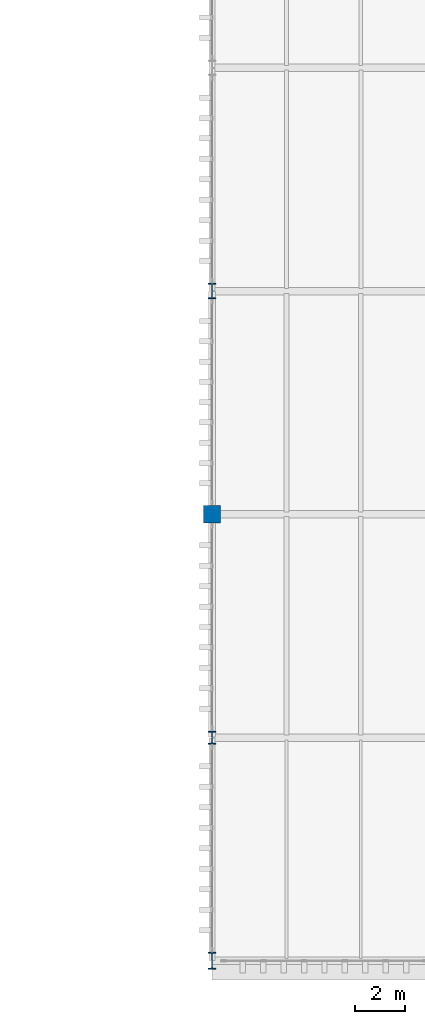
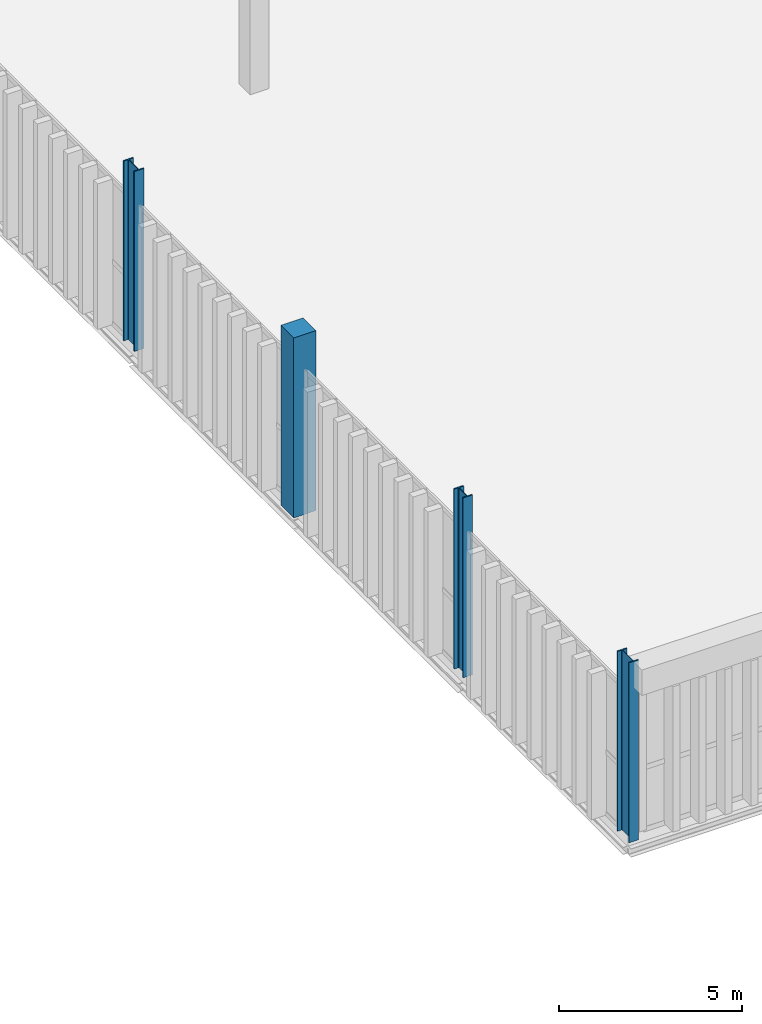
# One storey, part 5 of 237: 4 columns.
"""IFC4 building model written with IfcOpenShell, lengths in metres."""

from ifc_helpers import new_model, si_unit, direction, frame, origin, origin_2d, place, context, subcontext, project, spatial, rectangle, i_section, extrude, material, material_profile, profile_set, type_object, element, save


model = new_model("IFC4")

# Units and contexts
model_context = context("Model", 3, precision=1e-05, world=origin(), true_north=direction((0.0, 1.0)))
body_context = subcontext(model_context, "Body", "Model", "MODEL_VIEW")
ifc_project = project(units=[si_unit("LENGTHUNIT", "METRE"), si_unit("AREAUNIT", "SQUARE_METRE"), si_unit("VOLUMEUNIT", "CUBIC_METRE"), si_unit("PLANEANGLEUNIT", "RADIAN"), si_unit("MASSUNIT", "GRAM", prefix="KILO")], contexts=[model_context])

# Site, building, storey
site_placement = place(None, origin())
site = spatial("IfcSite", under=ifc_project, at=site_placement, CompositionType="ELEMENT")
building_placement = place(site_placement, origin())
building = spatial("IfcBuilding", under=site, at=building_placement, Name="Barlavento Convention Centre", CompositionType="ELEMENT")
storey_placement = place(building_placement, frame((0.0, 0.0, 12.0)))
storey = spatial("IfcBuildingStorey", under=building, at=storey_placement, Name="L02", CompositionType="ELEMENT", Elevation=12.0)

# Columns
ifc_material_1 = material(Name="Steel S355", Category="steel")
ifc_material_profile_1 = material_profile(ifc_material_1, i_section(OverallWidth=0.305908203125, OverallDepth=0.52392578125, WebThickness=0.02099609375, FlangeThickness=0.0400390625, FilletRadius=0.027099609375, at=origin_2d()), Name="HEM 500")
ifc_profile_set_1 = profile_set([ifc_material_profile_1], Name="Steel S355")
column_type_1 = type_object("IfcColumnType", Name="STR-COL-HEM500", PredefinedType="COLUMN", material=ifc_profile_set_1)
column_1_placement = place(storey_placement, frame((126.0, 9.0, 0.0), z_axis=(0.0, 0.0, 1.0), x_axis=(1.0, 0.0, 0.0)))
element("IfcColumn", 1, at=column_1_placement, inside=storey, type_object=column_type_1, Name="L02 column SC07", PredefinedType="COLUMN", context=body_context, shape_type="SweptSolid", body=[
    extrude(i_section(OverallWidth=0.305908203125, OverallDepth=0.52392578125, WebThickness=0.02099609375, FlangeThickness=0.0400390625, FilletRadius=0.027099609375, at=origin_2d()), origin(), (0.0, 0.0, 1.0), 6.0),
])
ifc_material_profile_2 = material_profile(ifc_material_1, i_section(OverallWidth=0.304931640625, OverallDepth=0.6201171875, WebThickness=0.02099609375, FlangeThickness=0.0400390625, FilletRadius=0.027099609375, at=origin_2d()), Name="HEM 600")
ifc_profile_set_2 = profile_set([ifc_material_profile_2], Name="Steel S355")
column_type_2 = type_object("IfcColumnType", Name="STR-COL-HEM600", PredefinedType="COLUMN", material=ifc_profile_set_2)
column_2_placement = place(storey_placement, frame((126.0, 27.0, 0.0), z_axis=(0.0, 0.0, 1.0), x_axis=(1.0, 0.0, 0.0)))
element("IfcColumn", 2, at=column_2_placement, inside=storey, type_object=column_type_2, Name="L02 column SC05", PredefinedType="COLUMN", context=body_context, shape_type="SweptSolid", body=[
    extrude(i_section(OverallWidth=0.304931640625, OverallDepth=0.6201171875, WebThickness=0.02099609375, FlangeThickness=0.0400390625, FilletRadius=0.027099609375, at=origin_2d()), origin(), (0.0, 0.0, 1.0), 6.0),
])
ifc_material_2 = material(Name="Steel S460", Category="steel")
ifc_material_profile_3 = material_profile(ifc_material_2, i_section(OverallWidth=0.304931640625, OverallDepth=0.66796875, WebThickness=0.02099609375, FlangeThickness=0.0400390625, FilletRadius=0.027099609375, at=origin_2d()), Name="HEM 650")
ifc_profile_set_3 = profile_set([ifc_material_profile_3], Name="Steel S460")
column_type_3 = type_object("IfcColumnType", Name="STR-COL-HEM650", PredefinedType="COLUMN", material=ifc_profile_set_3)
column_3_placement = place(storey_placement, frame((126.0, 0.0, 0.0), z_axis=(0.0, 0.0, 1.0), x_axis=(1.0, 0.0, 0.0)))
element("IfcColumn", 3, at=column_3_placement, inside=storey, type_object=column_type_3, Name="L02 column SC04", PredefinedType="COLUMN", context=body_context, shape_type="SweptSolid", body=[
    extrude(i_section(OverallWidth=0.304931640625, OverallDepth=0.66796875, WebThickness=0.02099609375, FlangeThickness=0.0400390625, FilletRadius=0.027099609375, at=origin_2d()), origin(), (0.0, 0.0, 1.0), 6.0),
])
ifc_material_3 = material(Name="Concrete C40/50", Category="concrete")
ifc_material_profile_4 = material_profile(ifc_material_3, rectangle(XDim=0.699951171875, YDim=0.699951171875, at=origin_2d()), Name="RC 700x700")
ifc_profile_set_4 = profile_set([ifc_material_profile_4], Name="Concrete C40/50")
column_type_4 = type_object("IfcColumnType", Name="STR-COL-RC700", PredefinedType="COLUMN", material=ifc_profile_set_4)
column_4_placement = place(storey_placement, frame((126.0, 18.0, 0.0), z_axis=(0.0, 0.0, 1.0), x_axis=(1.0, 0.0, 0.0)))
element("IfcColumn", 4, at=column_4_placement, inside=storey, type_object=column_type_4, Name="L02 column CC06", PredefinedType="COLUMN", context=body_context, shape_type="SweptSolid", body=[
    extrude(rectangle(XDim=0.699951171875, YDim=0.699951171875, at=origin_2d()), origin(), (0.0, 0.0, 1.0), 6.0),
])

save(model, "model.ifc")
